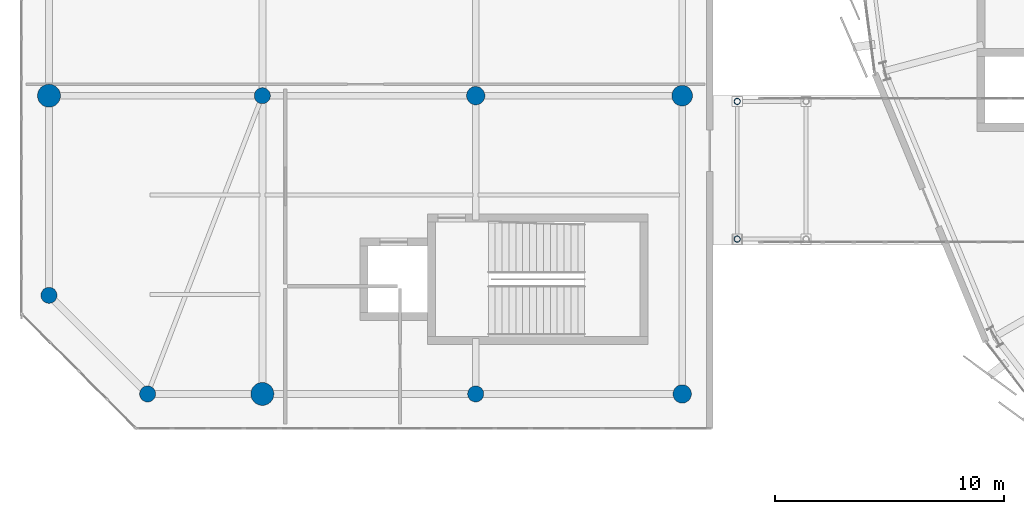
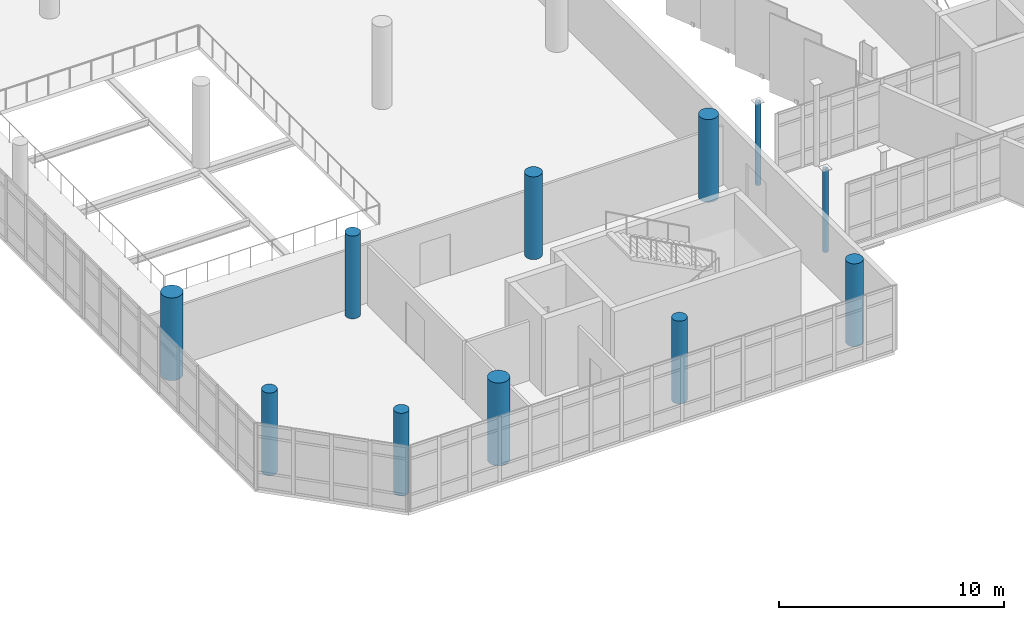
# One storey, part 2 of 125: 11 columns.
"""IFC4 building model written with IfcOpenShell, lengths in metres."""

from ifc_helpers import new_model, si_unit, direction, frame, origin, origin_2d, place, context, subcontext, project, spatial, circle, hollow_circle, extrude, material, material_profile, profile_set, type_object, element, save


model = new_model("IFC4")

# Units and contexts
model_context = context("Model", 3, precision=1e-05, world=origin(), true_north=direction((0.0, 1.0)))
body_context = subcontext(model_context, "Body", "Model", "MODEL_VIEW")
ifc_project = project(units=[si_unit("LENGTHUNIT", "METRE"), si_unit("AREAUNIT", "SQUARE_METRE"), si_unit("VOLUMEUNIT", "CUBIC_METRE"), si_unit("PLANEANGLEUNIT", "RADIAN"), si_unit("MASSUNIT", "GRAM", prefix="KILO")], contexts=[model_context])

# Site, building, storey
site_placement = place(None, origin())
site = spatial("IfcSite", under=ifc_project, at=site_placement, CompositionType="ELEMENT")
building_placement = place(site_placement, origin())
building = spatial("IfcBuilding", under=site, at=building_placement, Name="Sohan Crest Arena", CompositionType="ELEMENT")
storey_placement = place(building_placement, frame((0.0, 0.0, 9.0)))
storey = spatial("IfcBuildingStorey", under=building, at=storey_placement, Name="L02", CompositionType="ELEMENT", Elevation=9.0)

# Columns
ifc_material_1 = material(Name="Concrete C40/50", Category="concrete")
ifc_material_profile_1 = material_profile(ifc_material_1, circle(Radius=0.35009765625, at=origin_2d()), Name="RC D700")
ifc_profile_set_1 = profile_set([ifc_material_profile_1], Name="Concrete C40/50")
column_type_1 = type_object("IfcColumnType", Name="STR-COL-C13", PredefinedType="COLUMN", material=ifc_profile_set_1)
for number, where, z_axis, x_axis, name in (
    (1, (24.5, 64.5, 0.0), (0.0, 0.0, 1.0), (1.0, 0.0, 0.0), "Structural column COL-V3C-22-L02"),
    (2, (33.800048828125, 51.5, 0.0), (0.0, 0.0, 1.0), (1.0, 0.0, 0.0), "Structural column COL-V3C-31-L02"),
    (3, (19.5, 51.5, 0.0), (0.0, 0.0, 1.0), (1.0, 0.0, 0.0), "Structural column COL-V3CH-1-L02"),
    (4, (15.199951171875, 55.800048828125, 0.0), (0.0, 0.0, 1.0), (1.0, 0.0, 0.0), "Structural column COL-V3CH-2-L02"),
):
    element("IfcColumn", number, at=place(storey_placement, frame(where, z_axis=z_axis, x_axis=x_axis)), inside=storey, type_object=column_type_1, Name=name, PredefinedType="COLUMN", context=body_context, shape_type="SweptSolid", body=[
        extrude(circle(Radius=0.35009765625, at=origin_2d()), origin(), (0.0, 0.0, 1.0), 4.5),
    ])
ifc_material_profile_2 = material_profile(ifc_material_1, circle(Radius=0.39990234375, at=origin_2d()), Name="RC D800")
ifc_profile_set_2 = profile_set([ifc_material_profile_2], Name="Concrete C40/50")
column_type_2 = type_object("IfcColumnType", Name="STR-COL-C14", PredefinedType="COLUMN", material=ifc_profile_set_2)
for number, where, z_axis, x_axis, name in (
    (5, (33.800048828125, 64.5, 0.0), (0.0, 0.0, 1.0), (1.0, 0.0, 0.0), "Structural column COL-V3C-32-L02"),
    (6, (42.800048828125, 51.5, 0.0), (0.0, 0.0, 1.0), (1.0, 0.0, 0.0), "Structural column COL-V3C-41-L02"),
):
    element("IfcColumn", number, at=place(storey_placement, frame(where, z_axis=z_axis, x_axis=x_axis)), inside=storey, type_object=column_type_2, Name=name, PredefinedType="COLUMN", context=body_context, shape_type="SweptSolid", body=[
        extrude(circle(Radius=0.39990234375, at=origin_2d()), origin(), (0.0, 0.0, 1.0), 4.5),
    ])
ifc_material_profile_3 = material_profile(ifc_material_1, circle(Radius=0.449951171875, at=origin_2d()), Name="RC D900")
ifc_profile_set_3 = profile_set([ifc_material_profile_3], Name="Concrete C40/50")
column_type_3 = type_object("IfcColumnType", Name="STR-COL-C15", PredefinedType="COLUMN", material=ifc_profile_set_3)
column_placement = place(storey_placement, frame((42.800048828125, 64.5, 0.0), z_axis=(0.0, 0.0, 1.0), x_axis=(1.0, 0.0, 0.0)))
element("IfcColumn", 7, at=column_placement, inside=storey, type_object=column_type_3, Name="Structural column COL-V3C-42-L02", PredefinedType="COLUMN", context=body_context, shape_type="SweptSolid", body=[
    extrude(circle(Radius=0.449951171875, at=origin_2d()), origin(), (0.0, 0.0, 1.0), 4.5),
])
ifc_material_profile_4 = material_profile(ifc_material_1, circle(Radius=0.5, at=origin_2d()), Name="RC D1000")
ifc_profile_set_4 = profile_set([ifc_material_profile_4], Name="Concrete C40/50")
column_type_4 = type_object("IfcColumnType", Name="STR-COL-C16", PredefinedType="COLUMN", material=ifc_profile_set_4)
for number, where, z_axis, x_axis, name in (
    (8, (15.199951171875, 64.5, 0.0), (0.0, 0.0, 1.0), (1.0, 0.0, 0.0), "Structural column COL-V3C-12-L02"),
    (9, (24.5, 51.5, 0.0), (0.0, 0.0, 1.0), (1.0, 0.0, 0.0), "Structural column COL-V3C-21-L02"),
):
    element("IfcColumn", number, at=place(storey_placement, frame(where, z_axis=z_axis, x_axis=x_axis)), inside=storey, type_object=column_type_4, Name=name, PredefinedType="COLUMN", context=body_context, shape_type="SweptSolid", body=[
        extrude(circle(Radius=0.5, at=origin_2d()), origin(), (0.0, 0.0, 1.0), 4.5),
    ])
ifc_material_2 = material(Name="Steel S355", Category="steel")
ifc_material_profile_5 = material_profile(ifc_material_2, hollow_circle(Radius=0.136474609375, WallThickness=0.012451171875, at=origin_2d()), Name="CHS 273x12.5")
ifc_profile_set_5 = profile_set([ifc_material_profile_5], Name="Steel S355")
column_type_5 = type_object("IfcColumnType", Name="STR-COL-C25", PredefinedType="COLUMN", material=ifc_profile_set_5)
for number, where, z_axis, x_axis, name in (
    (10, (45.199951171875, 58.25, 0.0), (0.0, 0.0, 1.0), (1.0, 0.0, 0.0), "Structural column COL-BC-BR-W1-1-L02"),
    (11, (45.199951171875, 64.25, 0.0), (0.0, 0.0, 1.0), (1.0, 0.0, 0.0), "Structural column COL-BC-BR-W1-3-L02"),
):
    element("IfcColumn", number, at=place(storey_placement, frame(where, z_axis=z_axis, x_axis=x_axis)), inside=storey, type_object=column_type_5, Name=name, PredefinedType="COLUMN", context=body_context, shape_type="SweptSolid", body=[
        extrude(hollow_circle(Radius=0.136474609375, WallThickness=0.012451171875, at=origin_2d()), origin(), (0.0, 0.0, 1.0), 4.5),
    ])

save(model, "model.ifc")
